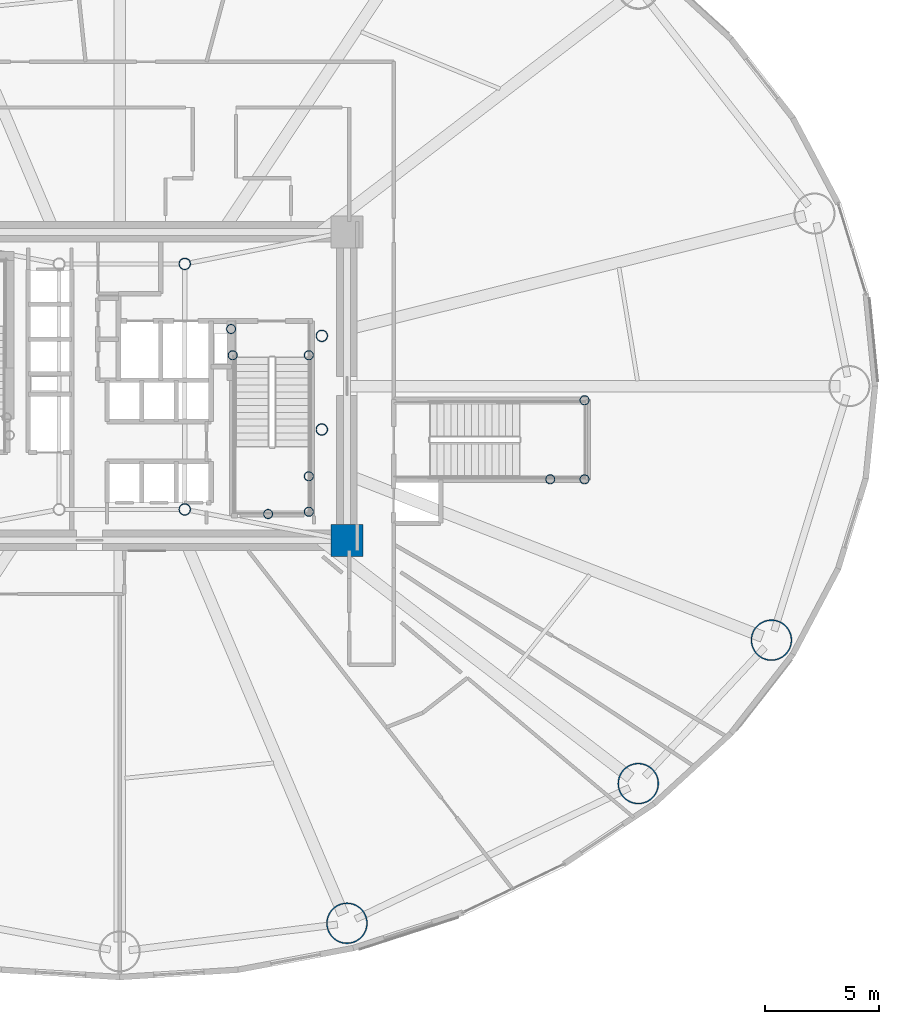
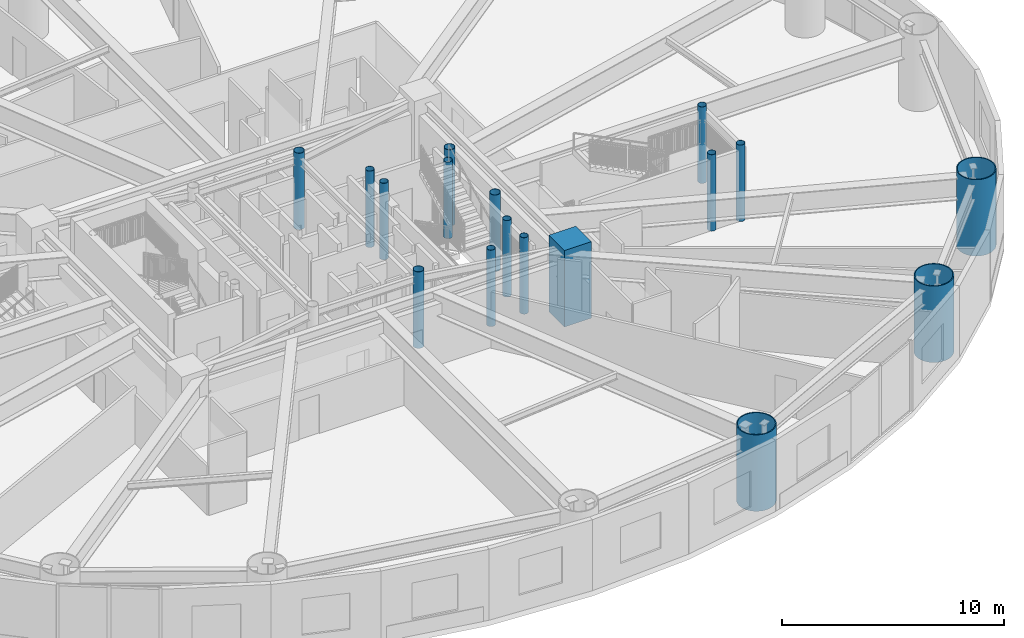
# One storey, part 2 of 27: 17 columns.
"""IFC4 building model written with IfcOpenShell, lengths in metres."""

from ifc_helpers import new_model, si_unit, direction, frame, origin, origin_2d, place, context, subcontext, project, spatial, rectangle, hollow_circle, extrude, material, material_profile, profile_set, type_object, element, save


model = new_model("IFC4")

# Units and contexts
model_context = context("Model", 3, precision=1e-05, world=origin(), true_north=direction((0.0, 1.0)))
body_context = subcontext(model_context, "Body", "Model", "MODEL_VIEW")
ifc_project = project(units=[si_unit("LENGTHUNIT", "METRE"), si_unit("AREAUNIT", "SQUARE_METRE"), si_unit("VOLUMEUNIT", "CUBIC_METRE"), si_unit("PLANEANGLEUNIT", "RADIAN"), si_unit("MASSUNIT", "GRAM", prefix="KILO")], contexts=[model_context])

# Site, building, storey
site_placement = place(None, origin())
site = spatial("IfcSite", under=ifc_project, at=site_placement, CompositionType="ELEMENT")
building_placement = place(site_placement, origin())
building = spatial("IfcBuilding", under=site, at=building_placement, Name="Linh Dai School and Residence Tower", CompositionType="ELEMENT")
storey_placement = place(building_placement, frame((0.0, 0.0, 22.800048828125)))
storey = spatial("IfcBuildingStorey", under=building, at=storey_placement, Name="L05", CompositionType="ELEMENT", Elevation=22.800048828125)

# Columns
ifc_material_1 = material(Name="Concrete B60 (C50/60)", Category="concrete")
ifc_material_profile_1 = material_profile(ifc_material_1, rectangle(XDim=1.39990234375, YDim=1.39990234375, at=origin_2d()), Name="RC 1400x1400")
ifc_profile_set_1 = profile_set([ifc_material_profile_1], Name="Concrete B60 (C50/60)")
column_type_1 = type_object("IfcColumnType", Name="COL-CC1", PredefinedType="COLUMN", material=ifc_profile_set_1)
column_placement = place(storey_placement, frame((45.949951171875, 20.25, 0.0), z_axis=(0.0, 0.0, 1.0), x_axis=(1.0, 0.0, 0.0)))
element("IfcColumn", 1, at=column_placement, inside=storey, type_object=column_type_1, Name="L05 Core Corner Pier CC2", PredefinedType="COLUMN", context=body_context, shape_type="SweptSolid", body=[
    extrude(rectangle(XDim=1.39990234375, YDim=1.39990234375, at=origin_2d()), origin(), (0.0, 0.0, 1.0), 4.199951171875),
])
ifc_material_2 = material(Name="Structural Steel S355JR", Category="steel")
ifc_material_profile_2 = material_profile(ifc_material_2, hollow_circle(Radius=0.203125, WallThickness=0.01611328125, at=origin_2d()), Name="CHS 406.4x16")
ifc_profile_set_2 = profile_set([ifc_material_profile_2], Name="Structural Steel S355JR")
column_type_2 = type_object("IfcColumnType", Name="COL-EC", PredefinedType="COLUMN", material=ifc_profile_set_2)
for number, where, z_axis, x_axis, name in (
    (2, (44.280029296875, 21.5, 0.0), (0.0, 0.0, 1.0), (1.0, 0.0, 0.0), "L05 Stair Shaft Landing Support Pier ST2SE"),
    (3, (44.280029296875, 23.050048828125, 0.0), (0.0, 0.0, 1.0), (1.0, 0.0, 0.0), "L05 Stair Shaft Landing Support Pier ST2NE"),
    (4, (42.5, 21.39990234375, 0.0), (0.0, 0.0, 1.0), (1.0, 0.0, 0.0), "L05 Stair Shaft Landing Support Pier ST2MS"),
    (5, (40.949951171875, 28.35009765625, 0.0), (0.0, 0.0, 1.0), (1.0, 0.0, 0.0), "L05 Stair Shaft Landing Support Pier ST2N1"),
    (6, (44.280029296875, 28.35009765625, 0.0), (0.0, 0.0, 1.0), (1.0, 0.0, 0.0), "L05 Stair Shaft Landing Support Pier ST2N2"),
    (7, (40.8798828125, 29.5, 0.0), (0.0, 0.0, 1.0), (1.0, 0.0, 0.0), "L05 Stair Shaft Landing Support Pier ST2N3"),
    (8, (56.35009765625, 26.3798828125, 0.0), (0.0, 0.0, 1.0), (1.0, 0.0, 0.0), "L05 Stair Shaft Landing Support Pier STS2NE"),
    (9, (56.35009765625, 22.919921875, 0.0), (0.0, 0.0, 1.0), (1.0, 0.0, 0.0), "L05 Stair Shaft Landing Support Pier STS2SE"),
    (10, (54.85009765625, 22.919921875, 0.0), (0.0, 0.0, 1.0), (1.0, 0.0, 0.0), "L05 Stair Shaft Landing Support Pier STS2MW"),
):
    element("IfcColumn", number, at=place(storey_placement, frame(where, z_axis=z_axis, x_axis=x_axis)), inside=storey, type_object=column_type_2, Name=name, PredefinedType="COLUMN", context=body_context, shape_type="SweptSolid", body=[
        extrude(hollow_circle(Radius=0.203125, WallThickness=0.01611328125, at=origin_2d()), origin(), (0.0, 0.0, 1.0), 4.199951171875),
    ])
ifc_material_profile_3 = material_profile(ifc_material_2, hollow_circle(Radius=0.89990234375, WallThickness=0.050048828125, at=origin_2d()), Name="CHS 1800x50")
ifc_profile_set_3 = profile_set([ifc_material_profile_3], Name="Structural Steel S355JR")
column_type_3 = type_object("IfcColumnType", Name="COL-MC1", PredefinedType="COLUMN", material=ifc_profile_set_3)
for number, where, z_axis, x_axis, name in (
    (11, (45.951171875, 3.48388671875, 0.0), (0.0, 0.0, 1.0), (1.0, 0.0, 0.0), "L05 Perimeter CFT Mega-Column MC14"),
    (12, (58.705322265625, 9.599365234375, 0.0), (0.0, 0.0, 1.0), (1.0, 0.0, 0.0), "L05 Perimeter CFT Mega-Column MC15"),
    (13, (64.53369140625, 15.8779296875, 0.0), (0.0, 0.0, 1.0), (1.0, 0.0, 0.0), "L05 Perimeter CFT Mega-Column MC16"),
):
    element("IfcColumn", number, at=place(storey_placement, frame(where, z_axis=z_axis, x_axis=x_axis)), inside=storey, type_object=column_type_3, Name=name, PredefinedType="COLUMN", context=body_context, shape_type="SweptSolid", body=[
        extrude(hollow_circle(Radius=0.89990234375, WallThickness=0.050048828125, at=origin_2d()), origin(), (0.0, 0.0, 1.0), 4.199951171875),
    ])
ifc_material_profile_4 = material_profile(ifc_material_2, hollow_circle(Radius=0.25390625, WallThickness=0.02001953125, at=origin_2d()), Name="CHS 508x20")
ifc_profile_set_4 = profile_set([ifc_material_profile_4], Name="Structural Steel S355JR")
column_type_4 = type_object("IfcColumnType", Name="COL-MCP", PredefinedType="COLUMN", material=ifc_profile_set_4)
for number, where, z_axis, x_axis, name in (
    (14, (38.85009765625, 21.60009765625, 0.0), (0.0, 0.0, 1.0), (1.0, 0.0, 0.0), "L05 Core Mast Support Pier MCP2"),
    (15, (38.85009765625, 32.35009765625, 0.0), (0.0, 0.0, 1.0), (1.0, 0.0, 0.0), "L05 Core Mast Support Pier MCP3"),
    (16, (44.85009765625, 25.10009765625, 0.0), (0.0, 0.0, 1.0), (1.0, 0.0, 0.0), "L05 Sky-Lounge Core Anchor Pier S"),
    (17, (44.85009765625, 29.199951171875, 0.0), (0.0, 0.0, 1.0), (1.0, 0.0, 0.0), "L05 Sky-Lounge Core Anchor Pier N"),
):
    element("IfcColumn", number, at=place(storey_placement, frame(where, z_axis=z_axis, x_axis=x_axis)), inside=storey, type_object=column_type_4, Name=name, PredefinedType="COLUMN", context=body_context, shape_type="SweptSolid", body=[
        extrude(hollow_circle(Radius=0.25390625, WallThickness=0.02001953125, at=origin_2d()), origin(), (0.0, 0.0, 1.0), 4.199951171875),
    ])

save(model, "model.ifc")
